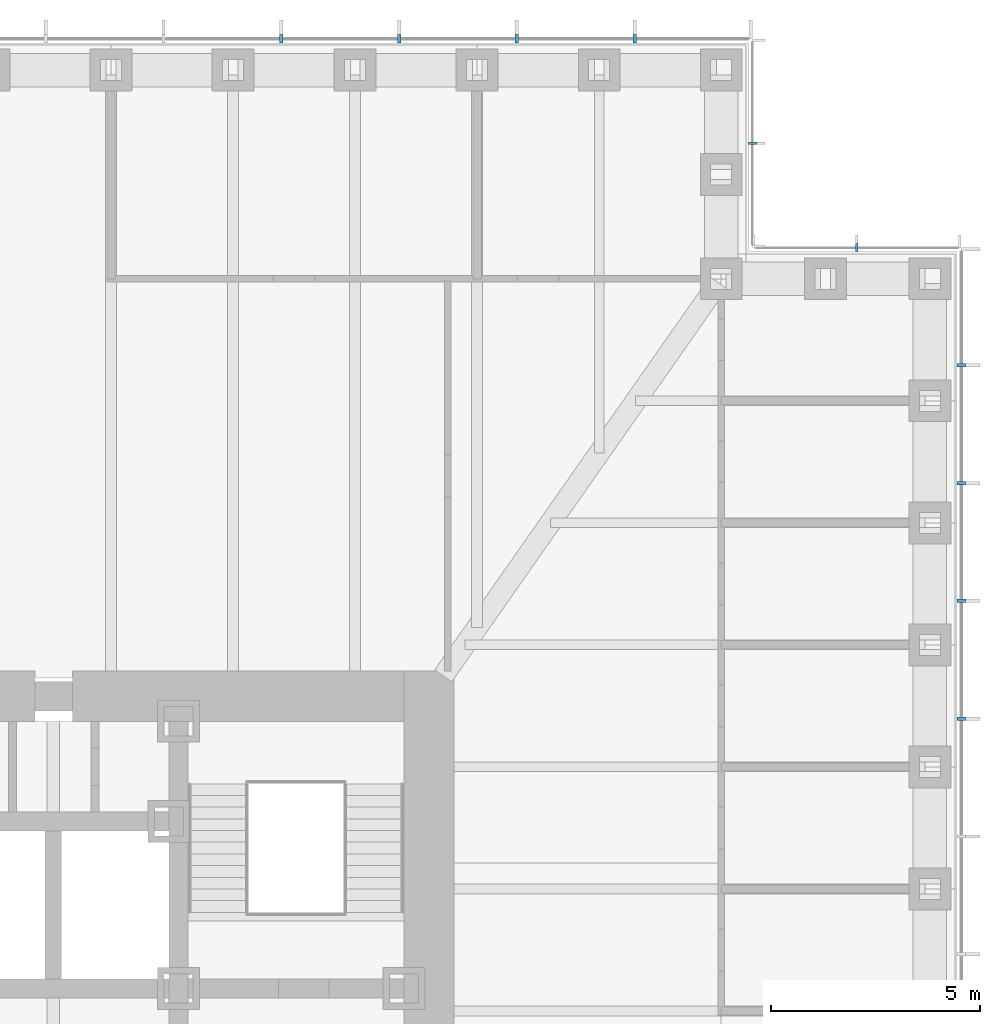
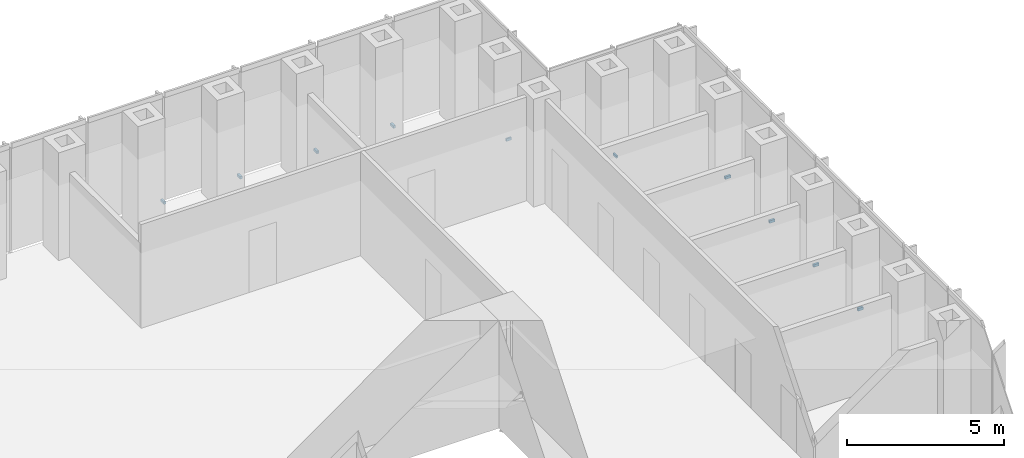
# One storey, part 15 of 16: 10 discrete accessories.
"""IFC4 building model written with IfcOpenShell, lengths in metres."""

from ifc_helpers import new_model, si_unit, direction, frame, origin, origin_2d, place, context, subcontext, project, spatial, rectangle, extrude, element, save


model = new_model("IFC4")

# Units and contexts
model_context = context("Model", 3, precision=1e-05, world=origin(), true_north=direction((0.0, 1.0)))
body_context = subcontext(model_context, "Body", "Model", "MODEL_VIEW")
ifc_project = project(units=[si_unit("LENGTHUNIT", "METRE"), si_unit("AREAUNIT", "SQUARE_METRE"), si_unit("VOLUMEUNIT", "CUBIC_METRE"), si_unit("PLANEANGLEUNIT", "RADIAN"), si_unit("MASSUNIT", "GRAM", prefix="KILO")], contexts=[model_context])

# Site, building, storey
site_placement = place(None, origin())
site = spatial("IfcSite", under=ifc_project, at=site_placement, CompositionType="ELEMENT")
building_placement = place(site_placement, origin())
building = spatial("IfcBuilding", under=site, at=building_placement, Name="Daluyong Arena Tower", CompositionType="ELEMENT")
storey_placement = place(building_placement, frame((0.0, 0.0, 51.699951171875)))
storey = spatial("IfcBuildingStorey", under=building, at=storey_placement, Name="L10", CompositionType="ELEMENT", Elevation=51.699951171875)

# Discrete accessories
for number, where, z_axis, x_axis, name in (
    (1, (80.75, 88.46435546875, -0.10009765625), (0.0, 0.0, 1.0), (0.0, 1.0, 0.0), "curtain wall L10 E anchor bracket 11"),
    (2, (80.75, 91.28564453125, -0.10009765625), (0.0, 0.0, 1.0), (0.0, 1.0, 0.0), "curtain wall L10 E anchor bracket 12"),
    (3, (80.75, 94.107177734375, -0.10009765625), (0.0, 0.0, 1.0), (0.0, 1.0, 0.0), "curtain wall L10 E anchor bracket 13"),
    (4, (80.75, 96.928466796875, -0.10009765625), (0.0, 0.0, 1.0), (0.0, 1.0, 0.0), "curtain wall L10 E anchor bracket 14"),
):
    element("IfcDiscreteAccessory", number, at=place(storey_placement, frame(where, z_axis=z_axis, x_axis=x_axis)), inside=storey, Name=name, PredefinedType="BRACKET", context=body_context, shape_type="SweptSolid", body=[
        extrude(rectangle(XDim=0.080078125, YDim=0.199951171875, at=origin_2d()), origin(), (0.0, 0.0, 1.0), 0.10009765625),
    ])
for number, where, z_axis, x_axis, name in (
    (5, (78.25, 99.75, -0.10009765625), (0.0, 0.0, 1.0), (-1.0, 0.0, 0.0), "curtain wall L10 NE-N anchor bracket 2"),
    (6, (75.75, 102.25, -0.10009765625), (0.0, 0.0, 1.0), (0.0, 1.0, 0.0), "curtain wall L10 NE-E anchor bracket 2"),
):
    element("IfcDiscreteAccessory", number, at=place(storey_placement, frame(where, z_axis=z_axis, x_axis=x_axis)), inside=storey, Name=name, PredefinedType="BRACKET", context=body_context, shape_type="SweptSolid", body=[
        extrude(rectangle(XDim=0.06005859375, YDim=0.199951171875, at=origin_2d()), origin(), (0.0, 0.0, 1.0), 0.10009765625),
    ])
for number, where, z_axis, x_axis, name in (
    (7, (72.928466796875, 104.75, -0.10009765625), (0.0, 0.0, 1.0), (-1.0, 0.0, 0.0), "curtain wall L10 N anchor bracket 2"),
    (8, (70.107177734375, 104.75, -0.10009765625), (0.0, 0.0, 1.0), (-1.0, 0.0, 0.0), "curtain wall L10 N anchor bracket 3"),
    (9, (67.28564453125, 104.75, -0.10009765625), (0.0, 0.0, 1.0), (-1.0, 0.0, 0.0), "curtain wall L10 N anchor bracket 4"),
    (10, (64.46435546875, 104.75, -0.10009765625), (0.0, 0.0, 1.0), (-1.0, 0.0, 0.0), "curtain wall L10 N anchor bracket 5"),
):
    element("IfcDiscreteAccessory", number, at=place(storey_placement, frame(where, z_axis=z_axis, x_axis=x_axis)), inside=storey, Name=name, PredefinedType="BRACKET", context=body_context, shape_type="SweptSolid", body=[
        extrude(rectangle(XDim=0.080078125, YDim=0.199951171875, at=origin_2d()), origin(), (0.0, 0.0, 1.0), 0.10009765625),
    ])

save(model, "model.ifc")
